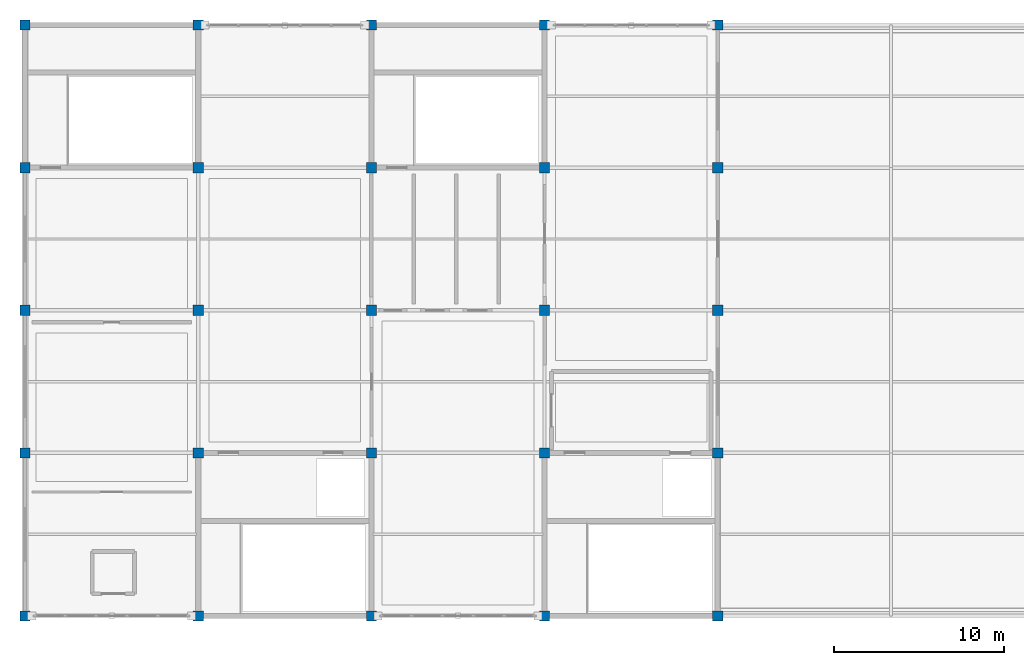
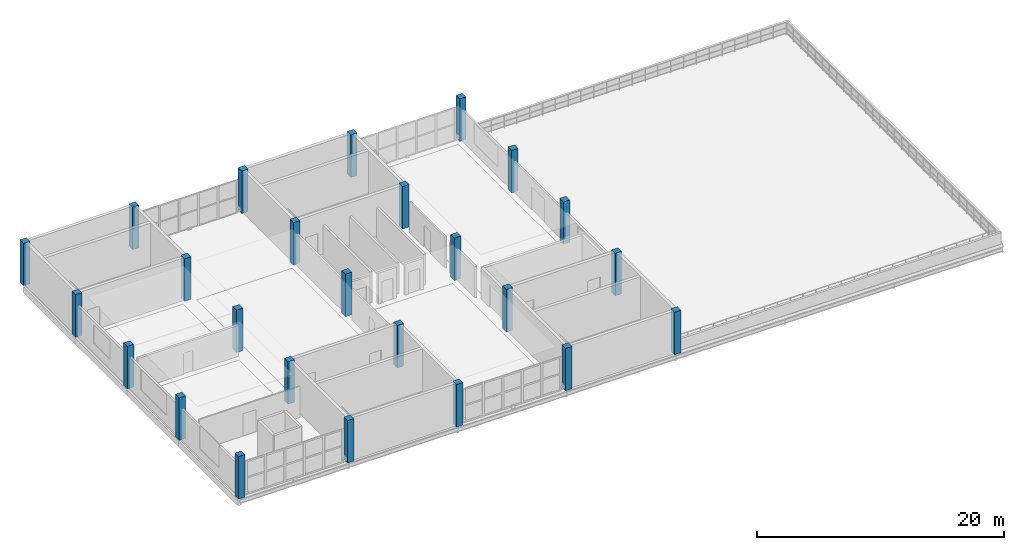
# One storey, part 1 of 12: 25 columns.
"""IFC4 building model written with IfcOpenShell, lengths in metres."""

from ifc_helpers import new_model, si_unit, direction, frame, origin, origin_2d, place, context, subcontext, project, spatial, rectangle, extrude, material, material_profile, profile_set, type_object, element, save


model = new_model("IFC4")

# Units and contexts
model_context = context("Model", 3, precision=1e-05, world=origin(), true_north=direction((0.0, 1.0)))
body_context = subcontext(model_context, "Body", "Model", "MODEL_VIEW")
ifc_project = project(units=[si_unit("LENGTHUNIT", "METRE"), si_unit("AREAUNIT", "SQUARE_METRE"), si_unit("VOLUMEUNIT", "CUBIC_METRE"), si_unit("PLANEANGLEUNIT", "RADIAN"), si_unit("MASSUNIT", "GRAM", prefix="KILO")], contexts=[model_context])

# Site, building, storey
site_placement = place(None, origin())
site = spatial("IfcSite", under=ifc_project, at=site_placement, CompositionType="ELEMENT")
building_placement = place(site_placement, origin())
building = spatial("IfcBuilding", under=site, at=building_placement, Name="Brelvane Convention Centre", CompositionType="ELEMENT")
storey_placement = place(building_placement, frame((0.0, 0.0, 23.39990234375)))
storey = spatial("IfcBuildingStorey", under=building, at=storey_placement, Name="L05", CompositionType="ELEMENT", Elevation=23.39990234375)

# Columns
ifc_material = material(Name="Concrete M50", Category="concrete")
ifc_material_profile = material_profile(ifc_material, rectangle(XDim=0.60009765625, YDim=0.60009765625, at=origin_2d()), Name="RC 600x600")
ifc_profile_set = profile_set([ifc_material_profile], Name="Concrete M50")
column_type = type_object("IfcColumnType", Name="RC Column C-RC4 (RC 600x600)", PredefinedType="COLUMN", material=ifc_profile_set)
for number, where, z_axis, x_axis, name in (
    (1, (0.0, 109.199951171875, 0.0), (0.0, 0.0, 1.0), (1.0, 0.0, 0.0), "Column 1-L (L05)"),
    (2, (0.0, 118.800048828125, 0.0), (0.0, 0.0, 1.0), (1.0, 0.0, 0.0), "Column 1-M (L05)"),
    (3, (0.0, 127.199951171875, 0.0), (0.0, 0.0, 1.0), (1.0, 0.0, 0.0), "Column 1-N (L05)"),
    (4, (0.0, 135.60009765625, 0.0), (0.0, 0.0, 1.0), (1.0, 0.0, 0.0), "Column 1-P (L05)"),
    (5, (0.0, 144.0, 0.0), (0.0, 0.0, 1.0), (1.0, 0.0, 0.0), "Column 1-Q (L05)"),
    (6, (10.199951171875, 109.199951171875, 0.0), (0.0, 0.0, 1.0), (1.0, 0.0, 0.0), "Column 2-L (L05)"),
    (7, (10.199951171875, 118.800048828125, 0.0), (0.0, 0.0, 1.0), (1.0, 0.0, 0.0), "Column 2-M (L05)"),
    (8, (10.199951171875, 127.199951171875, 0.0), (0.0, 0.0, 1.0), (1.0, 0.0, 0.0), "Column 2-N (L05)"),
    (9, (10.199951171875, 135.60009765625, 0.0), (0.0, 0.0, 1.0), (1.0, 0.0, 0.0), "Column 2-P (L05)"),
    (10, (10.199951171875, 144.0, 0.0), (0.0, 0.0, 1.0), (1.0, 0.0, 0.0), "Column 2-Q (L05)"),
    (11, (20.39990234375, 109.199951171875, 0.0), (0.0, 0.0, 1.0), (1.0, 0.0, 0.0), "Column 3-L (L05)"),
    (12, (20.39990234375, 118.800048828125, 0.0), (0.0, 0.0, 1.0), (1.0, 0.0, 0.0), "Column 3-M (L05)"),
    (13, (20.39990234375, 127.199951171875, 0.0), (0.0, 0.0, 1.0), (1.0, 0.0, 0.0), "Column 3-N (L05)"),
    (14, (20.39990234375, 135.60009765625, 0.0), (0.0, 0.0, 1.0), (1.0, 0.0, 0.0), "Column 3-P (L05)"),
    (15, (20.39990234375, 144.0, 0.0), (0.0, 0.0, 1.0), (1.0, 0.0, 0.0), "Column 3-Q (L05)"),
    (16, (30.60009765625, 109.199951171875, 0.0), (0.0, 0.0, 1.0), (1.0, 0.0, 0.0), "Column 4-L (L05)"),
    (17, (30.60009765625, 118.800048828125, 0.0), (0.0, 0.0, 1.0), (1.0, 0.0, 0.0), "Column 4-M (L05)"),
    (18, (30.60009765625, 127.199951171875, 0.0), (0.0, 0.0, 1.0), (1.0, 0.0, 0.0), "Column 4-N (L05)"),
    (19, (30.60009765625, 135.60009765625, 0.0), (0.0, 0.0, 1.0), (1.0, 0.0, 0.0), "Column 4-P (L05)"),
    (20, (30.60009765625, 144.0, 0.0), (0.0, 0.0, 1.0), (1.0, 0.0, 0.0), "Column 4-Q (L05)"),
    (21, (40.800048828125, 109.199951171875, 0.0), (0.0, 0.0, 1.0), (1.0, 0.0, 0.0), "Column 5-L (L05)"),
    (22, (40.800048828125, 118.800048828125, 0.0), (0.0, 0.0, 1.0), (1.0, 0.0, 0.0), "Column 5-M (L05)"),
    (23, (40.800048828125, 127.199951171875, 0.0), (0.0, 0.0, 1.0), (1.0, 0.0, 0.0), "Column 5-N (L05)"),
    (24, (40.800048828125, 135.60009765625, 0.0), (0.0, 0.0, 1.0), (1.0, 0.0, 0.0), "Column 5-P (L05)"),
    (25, (40.800048828125, 144.0, 0.0), (0.0, 0.0, 1.0), (1.0, 0.0, 0.0), "Column 5-Q (L05)"),
):
    element("IfcColumn", number, at=place(storey_placement, frame(where, z_axis=z_axis, x_axis=x_axis)), inside=storey, type_object=column_type, Name=name, PredefinedType="COLUMN", context=body_context, shape_type="SweptSolid", body=[
        extrude(rectangle(XDim=0.60009765625, YDim=0.60009765625, at=origin_2d()), origin(), (0.0, 0.0, 1.0), 4.2001953125),
    ])

save(model, "model.ifc")
